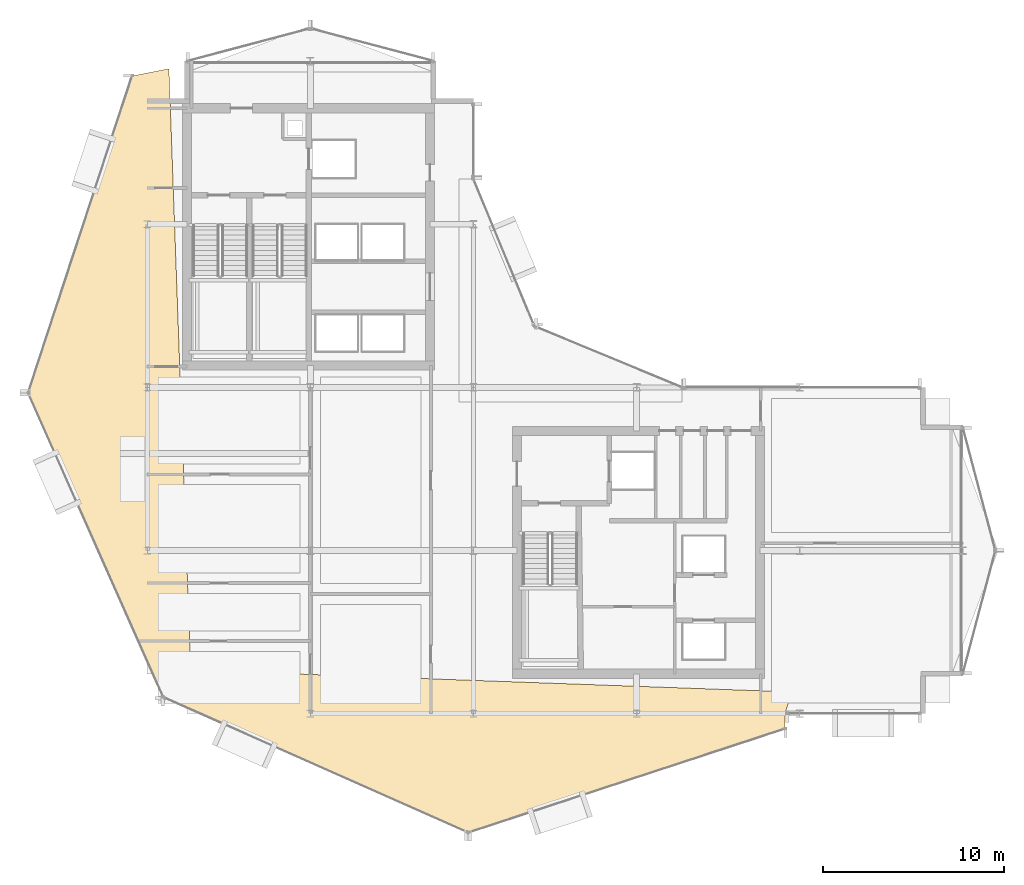
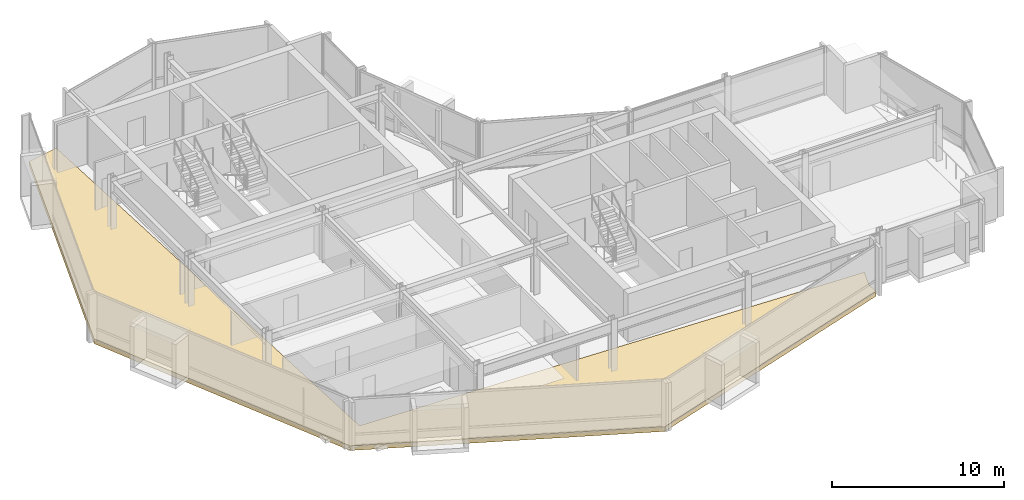
# One storey, part 24 of 27: 1 covering.
"""IFC4 building model written with IfcOpenShell, lengths in metres."""

from ifc_helpers import new_model, si_unit, direction, frame, origin, place, context, subcontext, project, spatial, polyline, outline, extrude, material, layer, layer_set, type_object, element, save


model = new_model("IFC4")

# Units and contexts
model_context = context("Model", 3, precision=1e-05, world=origin(), true_north=direction((0.0, 1.0)))
body_context = subcontext(model_context, "Body", "Model", "MODEL_VIEW")
ifc_project = project(units=[si_unit("LENGTHUNIT", "METRE"), si_unit("AREAUNIT", "SQUARE_METRE"), si_unit("VOLUMEUNIT", "CUBIC_METRE"), si_unit("PLANEANGLEUNIT", "RADIAN"), si_unit("MASSUNIT", "GRAM", prefix="KILO")], contexts=[model_context])

# Site, building, storey
site_placement = place(None, origin())
site = spatial("IfcSite", under=ifc_project, at=site_placement, CompositionType="ELEMENT")
building_placement = place(site_placement, origin())
building = spatial("IfcBuilding", under=site, at=building_placement, Name="Solvaryn Broadcast Tower", CompositionType="ELEMENT")
storey_placement = place(building_placement, frame((0.0, 0.0, 177.89990234375)))
storey = spatial("IfcBuildingStorey", under=building, at=storey_placement, Name="L44", CompositionType="ELEMENT", Elevation=177.89990234375)

# Covering
ifc_material = material(Name="Sculpted Architectural Terracotta Wave Fascia", Category="masonry")
ifc_layer = layer(ifc_material, 0.340087890625)
ifc_layer_set = layer_set([ifc_layer], Name="CV-WAVE-TRAY")
covering_type = type_object("IfcCoveringType", Name="CV-WAVE-TRAY", PredefinedType="CLADDING", material=ifc_layer_set)
covering_placement = place(storey_placement, frame((0.0, 0.0, -0.2998046875)))
element("IfcCovering", 1, at=covering_placement, inside=storey, type_object=covering_type, Name="L44 Stepped Cylindrical Drum Floor Apron", PredefinedType="CLADDING", context=body_context, shape_type="SweptSolid", body=[
    extrude(outline(polyline([(10.199951171875, 44.58203125), (8.1630859375, 44.181884765625), (2.43310546875, 26.7060546875), (9.89794921875, 9.89794921875), (26.7060546875, 2.43310546875), (44.181884765625, 8.1630859375), (44.181884765625, 9.0), (44.58203125, 10.199951171875), (11.39990234375, 11.39990234375), (10.199951171875, 44.58203125)])), origin(), (0.0, 0.0, 1.0), 0.329833984375),
])

save(model, "model.ifc")
